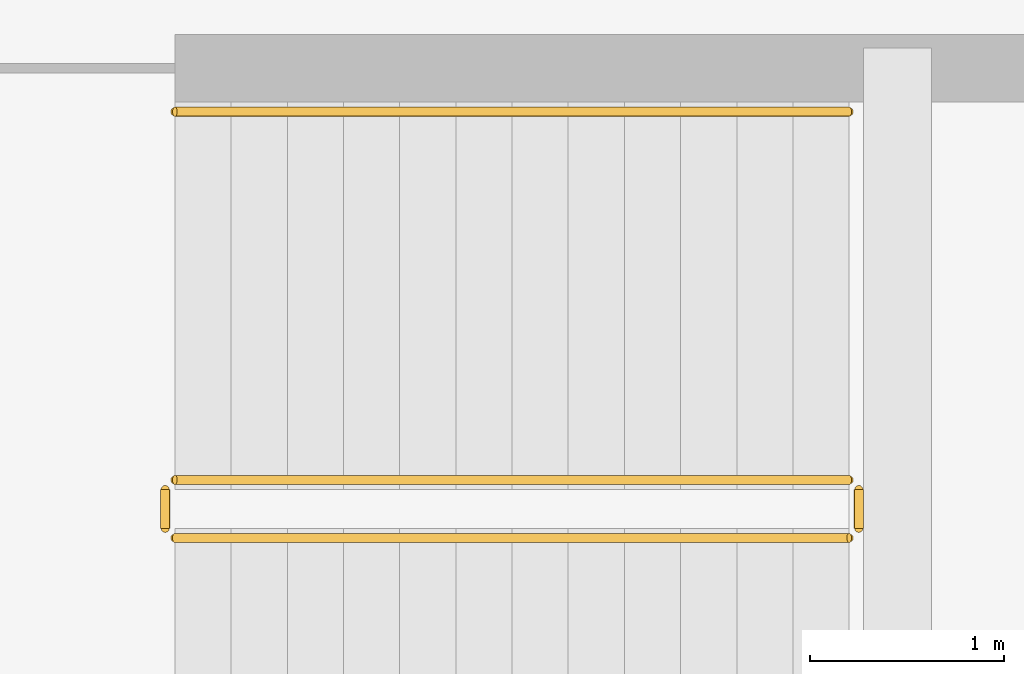
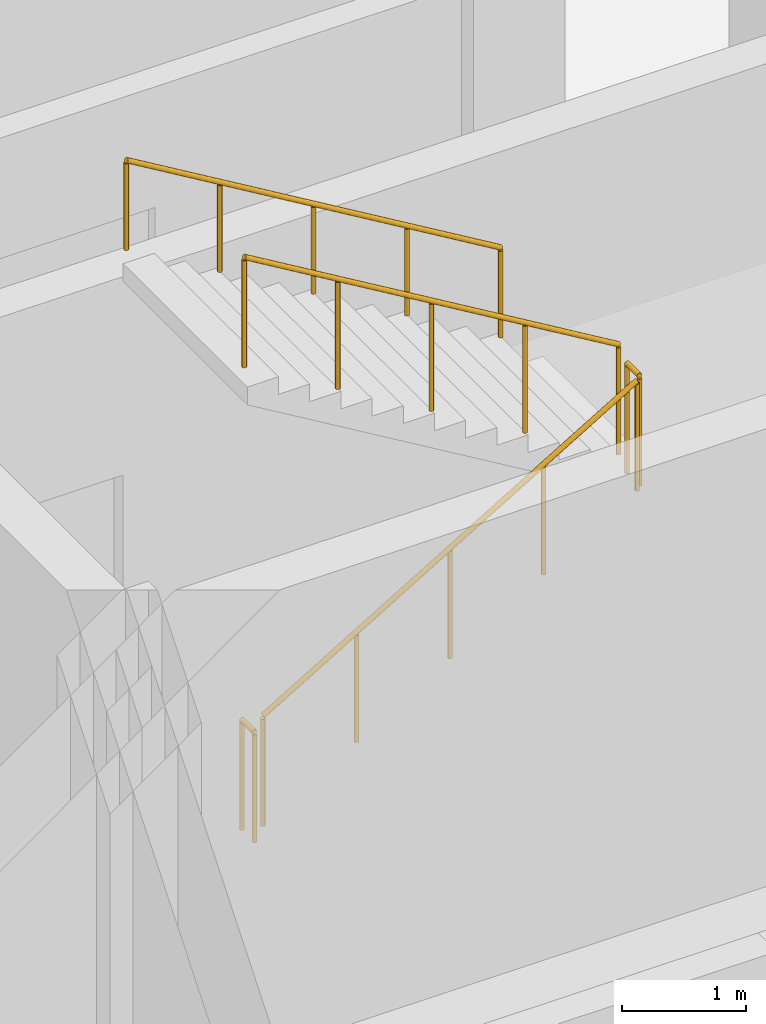
# One storey, part 25 of 26: 5 railings.
"""IFC4 building model written with IfcOpenShell, lengths in metres."""

from ifc_helpers import new_model, si_unit, direction, frame, origin, origin_2d, place, context, subcontext, project, spatial, circle, extrude, material, type_object, element, save


model = new_model("IFC4")

# Units and contexts
model_context = context("Model", 3, precision=1e-05, world=origin(), true_north=direction((0.0, 1.0)))
body_context = subcontext(model_context, "Body", "Model", "MODEL_VIEW")
ifc_project = project(units=[si_unit("LENGTHUNIT", "METRE"), si_unit("AREAUNIT", "SQUARE_METRE"), si_unit("VOLUMEUNIT", "CUBIC_METRE"), si_unit("PLANEANGLEUNIT", "RADIAN"), si_unit("MASSUNIT", "GRAM", prefix="KILO")], contexts=[model_context])

# Site, building, storey
site_placement = place(None, origin())
site = spatial("IfcSite", under=ifc_project, at=site_placement, CompositionType="ELEMENT")
building_placement = place(site_placement, origin())
building = spatial("IfcBuilding", under=site, at=building_placement, Name="Qorikala Patio Media Centre", CompositionType="ELEMENT")
storey_placement = place(building_placement, frame((0.0, 0.0, -4.5)))
storey = spatial("IfcBuildingStorey", under=building, at=storey_placement, Name="B1", CompositionType="ELEMENT", Elevation=-4.5)

# Railings
ifc_material_1 = material(Name="Wrought Bronze and Steel S355", Category="steel")
railing_type_1 = type_object("IfcRailingType", Name="RL-GUARD-110", PredefinedType="GUARDRAIL", material=ifc_material_1)
railing_1_placement = place(storey_placement, frame((53.60009765625, 66.35009765625, 0.173095703125)))
element("IfcRailing", 1, at=railing_1_placement, inside=storey, type_object=railing_type_1, Name="B1 ST-6 stair guard 1", PredefinedType="GUARDRAIL", context=body_context, shape_type="SweptSolid", body=[
    extrude(circle(Radius=0.02392578125, at=origin_2d()), frame((0.0, 0.0, 1.076171875), z_axis=(0.858697190188, 0.0, 0.512483302717), x_axis=(0.0, 1.0, 0.0)), (0.0, 0.0, 1.0), 4.052734375),
    extrude(circle(Radius=0.02099609375, at=origin_2d()), origin(), (0.0, 0.0, 1.0), 1.052001953125),
    extrude(circle(Radius=0.02099609375, at=origin_2d()), frame((0.8701171875, 0.0, 0.519287109375)), (0.0, 0.0, 1.0), 1.052001953125),
    extrude(circle(Radius=0.02099609375, at=origin_2d()), frame((1.739990234375, 0.0, 1.03857421875)), (0.0, 0.0, 1.0), 1.052001953125),
    extrude(circle(Radius=0.02099609375, at=origin_2d()), frame((2.60986328125, 0.0, 1.5576171875)), (0.0, 0.0, 1.0), 1.052001953125),
    extrude(circle(Radius=0.02099609375, at=origin_2d()), frame((3.47998046875, 0.0, 2.076904296875)), (0.0, 0.0, 1.0), 1.052001953125),
])
railing_2_placement = place(storey_placement, frame((57.1298828125, 66.39990234375, 2.25)))
element("IfcRailing", 2, at=railing_2_placement, inside=storey, type_object=railing_type_1, Name="B1 ST-6 stair guard 2", PredefinedType="GUARDRAIL", context=body_context, shape_type="SweptSolid", body=[
    extrude(circle(Radius=0.02392578125, at=origin_2d()), frame((0.0, 0.0, 1.076171875), z_axis=(0.0, 1.0, 0.0), x_axis=(-1.0, 0.0, 0.0)), (0.0, 0.0, 1.0), 0.2001953125),
    extrude(circle(Radius=0.02099609375, at=origin_2d()), origin(), (0.0, 0.0, 1.0), 1.052001953125),
    extrude(circle(Radius=0.02099609375, at=origin_2d()), frame((0.0, 0.2001953125, 0.0)), (0.0, 0.0, 1.0), 1.052001953125),
])
railing_3_placement = place(storey_placement, frame((57.080078125, 66.64990234375, 2.423095703125)))
element("IfcRailing", 3, at=railing_3_placement, inside=storey, type_object=railing_type_1, Name="B1 ST-6 stair guard 3", PredefinedType="GUARDRAIL", context=body_context, shape_type="SweptSolid", body=[
    extrude(circle(Radius=0.02392578125, at=origin_2d()), frame((0.0, 0.0, 1.076171875), z_axis=(-0.858697190188, 0.0, 0.512483302717), x_axis=(0.0, -1.0, 0.0)), (0.0, 0.0, 1.0), 4.052734375),
    extrude(circle(Radius=0.02099609375, at=origin_2d()), origin(), (0.0, 0.0, 1.0), 1.052001953125),
    extrude(circle(Radius=0.02099609375, at=origin_2d()), frame((-0.8701171875, 0.0, 0.519287109375)), (0.0, 0.0, 1.0), 1.052001953125),
    extrude(circle(Radius=0.02099609375, at=origin_2d()), frame((-1.739990234375, 0.0, 1.03857421875)), (0.0, 0.0, 1.0), 1.052001953125),
    extrude(circle(Radius=0.02099609375, at=origin_2d()), frame((-2.60986328125, 0.0, 1.5576171875)), (0.0, 0.0, 1.0), 1.052001953125),
    extrude(circle(Radius=0.02099609375, at=origin_2d()), frame((-3.47998046875, 0.0, 2.076904296875)), (0.0, 0.0, 1.0), 1.052001953125),
])
railing_4_placement = place(storey_placement, frame((53.550048828125, 66.39990234375, 0.0)))
element("IfcRailing", 4, at=railing_4_placement, inside=storey, type_object=railing_type_1, Name="B1 ST-6 stair guard 4", PredefinedType="GUARDRAIL", context=body_context, shape_type="SweptSolid", body=[
    extrude(circle(Radius=0.02392578125, at=origin_2d()), frame((0.0, 0.0, 1.076171875), z_axis=(0.0, 1.0, 0.0), x_axis=(-1.0, 0.0, 0.0)), (0.0, 0.0, 1.0), 0.2001953125),
    extrude(circle(Radius=0.02099609375, at=origin_2d()), origin(), (0.0, 0.0, 1.0), 1.052001953125),
    extrude(circle(Radius=0.02099609375, at=origin_2d()), frame((0.0, 0.2001953125, 0.0)), (0.0, 0.0, 1.0), 1.052001953125),
])
ifc_material_2 = material(Name="Brushed Bronze Tubular Steel S355", Category="steel")
railing_type_2 = type_object("IfcRailingType", Name="RL-HAND-090", PredefinedType="HANDRAIL", material=ifc_material_2)
railing_5_placement = place(storey_placement, frame((57.080078125, 68.550048828125, 2.423095703125)))
element("IfcRailing", 5, at=railing_5_placement, inside=storey, type_object=railing_type_2, Name="B1 ST-6 stair handrail 2", PredefinedType="HANDRAIL", context=body_context, shape_type="SweptSolid", body=[
    extrude(circle(Radius=0.02392578125, at=origin_2d()), frame((0.0, 0.0, 0.8759765625), z_axis=(-0.858697190188, 0.0, 0.512483302717), x_axis=(0.0, -1.0, 0.0)), (0.0, 0.0, 1.0), 4.052734375),
    extrude(circle(Radius=0.02099609375, at=origin_2d()), origin(), (0.0, 0.0, 1.0), 0.851806640625),
    extrude(circle(Radius=0.02099609375, at=origin_2d()), frame((-0.8701171875, 0.0, 0.519287109375)), (0.0, 0.0, 1.0), 0.851806640625),
    extrude(circle(Radius=0.02099609375, at=origin_2d()), frame((-1.739990234375, 0.0, 1.03857421875)), (0.0, 0.0, 1.0), 0.851806640625),
    extrude(circle(Radius=0.02099609375, at=origin_2d()), frame((-2.60986328125, 0.0, 1.5576171875)), (0.0, 0.0, 1.0), 0.851806640625),
    extrude(circle(Radius=0.02099609375, at=origin_2d()), frame((-3.47998046875, 0.0, 2.076904296875)), (0.0, 0.0, 1.0), 0.851806640625),
])

save(model, "model.ifc")
